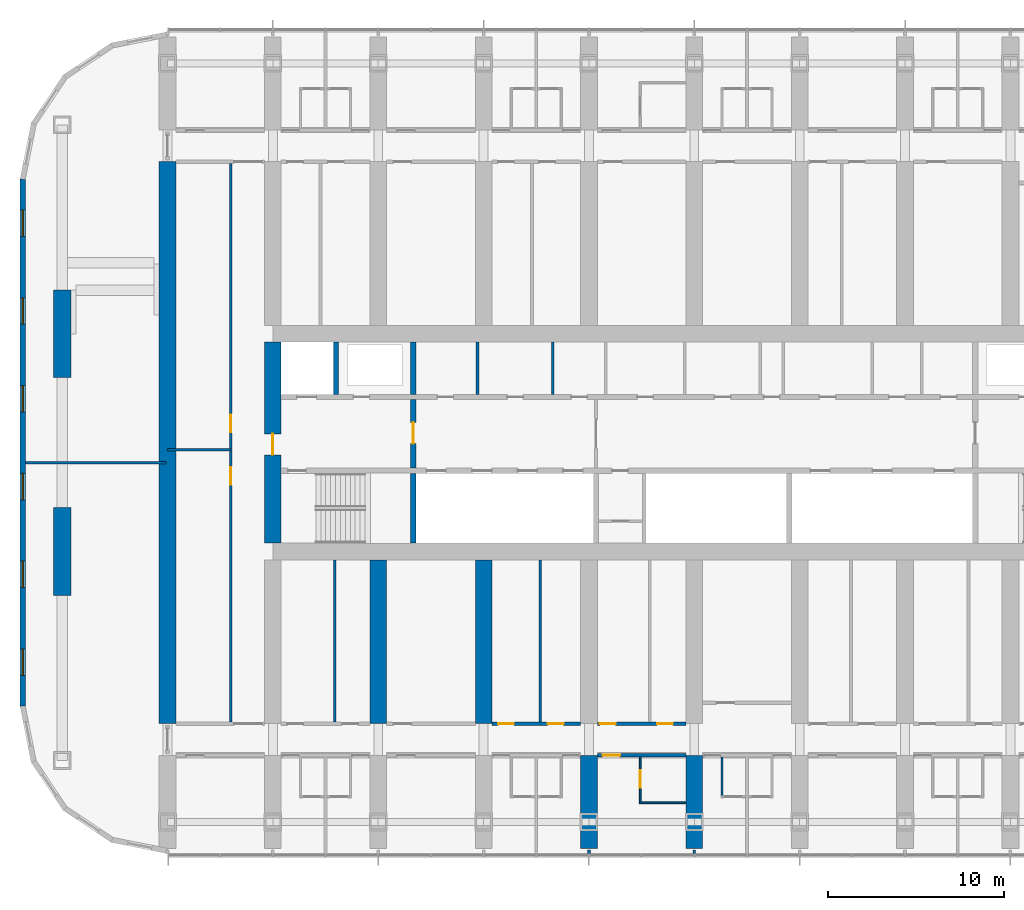
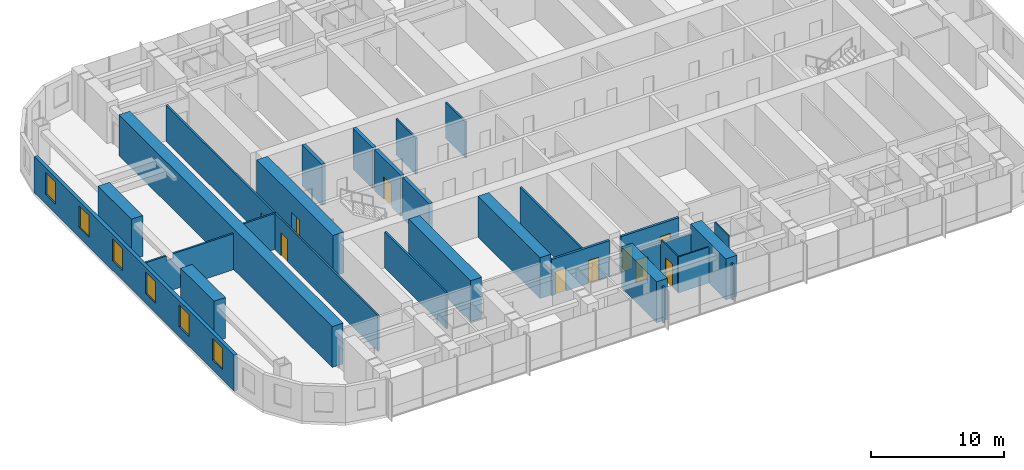
# One storey, part 9 of 21: 28 walls, 10 doors, 6 windows, 16 openings.
"""IFC4 building model written with IfcOpenShell, lengths in metres."""

import ifcopenshell
import ifcopenshell.guid

model = None  # the IFC model being written
_history = None  # IfcOwnerHistory: only IFC2X3 demands one
_inside = {}  # id of a spatial element -> (the spatial element, [elements in it])
_under = {}  # id of a project, library or spatial element -> (it, [spatial elements below it])
_declared = {}  # id of a project -> (the project, [libraries it declares])
_typed = {}  # id of a type object -> (the type object, [elements of that type])
_made_of = {}  # id of a material, layer set ... -> (it, [elements and type objects made of it])


def new_model(schema):
    """Start an empty IFC model of exactly this schema.

    Asked for "IFC4X3", IfcOpenShell would pick the latest addendum, in which some entities
    have other attributes; the version numbers below select the first issue.
    IFC2X3 requires an IfcOwnerHistory on every rooted entity: one is made here for all.
    """
    global model, _history
    if schema == "IFC4X3":
        model = ifcopenshell.file(schema_version=(4, 3, 0, 0))
    else:
        model = ifcopenshell.file(schema=schema)
    _inside.clear()
    _under.clear()
    _declared.clear()
    _typed.clear()
    _made_of.clear()
    _history = None
    if model.schema == "IFC2X3":
        org = make("IfcOrganization", Name="unknown")
        user = make(
            "IfcPersonAndOrganization",
            ThePerson=make("IfcPerson", FamilyName="unknown"),
            TheOrganization=org,
        )
        app = make(
            "IfcApplication",
            ApplicationDeveloper=org,
            Version="unknown",
            ApplicationFullName="unknown",
            ApplicationIdentifier="unknown",
        )
        _history = make(
            "IfcOwnerHistory",
            OwningUser=user,
            OwningApplication=app,
            ChangeAction="ADDED",
            CreationDate=0,
        )
    return model


def make(cls, **values):
    """One entity of the class cls with the attributes given. An attribute that is None is left unset."""
    return model.create_entity(
        cls, **{name: value for name, value in values.items() if value is not None}
    )


def rooted(cls, **values):
    """An entity with a GlobalId (a new one), such as an element, a storey or a relation."""
    return make(cls, GlobalId=ifcopenshell.guid.new(), OwnerHistory=_history, **values)


def si_unit(unit_type, name, prefix=None):
    """IfcSIUnit, for example si_unit("LENGTHUNIT", "METRE", prefix="MILLI")."""
    return make("IfcSIUnit", UnitType=unit_type, Prefix=prefix, Name=name)


def assignment(units):
    """IfcUnitAssignment: the units of a project."""
    return None if units is None else make("IfcUnitAssignment", Units=units)


def point(xyz):
    """IfcCartesianPoint."""
    return None if xyz is None else make("IfcCartesianPoint", Coordinates=xyz)


def direction(xyz):
    """IfcDirection."""
    return None if xyz is None else make("IfcDirection", DirectionRatios=xyz)


def frame(location, z_axis=None, x_axis=None):
    """IfcAxis2Placement3D, a coordinate frame: its origin and axes. An axis left out is left unset."""
    return make(
        "IfcAxis2Placement3D",
        Location=point(location),
        Axis=direction(z_axis),
        RefDirection=direction(x_axis),
    )


def frame_2d(location, x_axis=None):
    """IfcAxis2Placement2D, a coordinate frame in the plane: its origin and x axis."""
    return make(
        "IfcAxis2Placement2D", Location=point(location), RefDirection=direction(x_axis)
    )


def origin():
    """The frame at (0, 0, 0) with its axes left unset."""
    return frame((0.0, 0.0, 0.0))


def place(relative_to, where):
    """IfcLocalPlacement: puts the frame where relative to a parent placement (None: the world)."""
    return make(
        "IfcLocalPlacement", PlacementRelTo=relative_to, RelativePlacement=where
    )


def context(
    kind, dimensions, precision=None, world=None, true_north=None, identifier=None
):
    """IfcGeometricRepresentationContext, for example the 3D "Model" context."""
    return make(
        "IfcGeometricRepresentationContext",
        ContextIdentifier=identifier,
        ContextType=kind,
        CoordinateSpaceDimension=dimensions,
        Precision=precision,
        WorldCoordinateSystem=world,
        TrueNorth=true_north,
    )


def subcontext(parent, identifier, kind, view, scale=None):
    """IfcGeometricRepresentationSubContext, for example "Body" below "Model"."""
    return make(
        "IfcGeometricRepresentationSubContext",
        ContextIdentifier=identifier,
        ContextType=kind,
        ParentContext=parent,
        TargetScale=scale,
        TargetView=view,
    )


def project(units=None, contexts=None):
    """IfcProject with its units and contexts."""
    return rooted(
        "IfcProject",
        Name="project",
        RepresentationContexts=contexts,
        UnitsInContext=assignment(units),
    )


def spatial(cls, under=None, at=None, **own):
    """A site, building, storey or space (cls), placed at a placement, below another one or the project."""
    s = rooted(cls, ObjectPlacement=at, **own)
    if under is not None:
        _under.setdefault(under.id(), (under, []))[1].append(s)
    return s


def polyline(points):
    """IfcPolyline through the points."""
    return make("IfcPolyline", Points=[point(p) for p in points])


def profile(cls, at=None, kind="AREA", **sizes):
    """A parametric profile (cls). Its sizes go by their IFC names, for example OverallWidth=200.0."""
    return make(cls, ProfileType=kind, Position=at, **sizes)


def rectangle(**sizes):
    """IfcRectangleProfileDef."""
    return profile("IfcRectangleProfileDef", **sizes)


def outline(outer, holes=None, kind="AREA"):
    """IfcArbitraryClosedProfileDef: a profile drawn as a closed curve; with holes, ...WithVoids."""
    if holes is None:
        return make("IfcArbitraryClosedProfileDef", ProfileType=kind, OuterCurve=outer)
    return make(
        "IfcArbitraryProfileDefWithVoids",
        ProfileType=kind,
        OuterCurve=outer,
        InnerCurves=holes,
    )


def extrude(swept, where, along, depth):
    """IfcExtrudedAreaSolid: the profile swept, set in the frame where, extruded along a direction by depth."""
    return make(
        "IfcExtrudedAreaSolid",
        SweptArea=swept,
        Position=where,
        ExtrudedDirection=direction(along),
        Depth=depth,
    )


def shape(context_of_items, identifier, shape_type, items):
    """IfcShapeRepresentation: the items that make up one representation, for example the "Body"."""
    return make(
        "IfcShapeRepresentation",
        ContextOfItems=context_of_items,
        RepresentationIdentifier=identifier,
        RepresentationType=shape_type,
        Items=items,
    )


def material(Name=None, Category=None):
    """IfcMaterial."""
    return make("IfcMaterial", Name=Name, Category=Category)


def layer(
    of_material, thickness, ventilated=None, Name=None, Category=None, Priority=None
):
    """IfcMaterialLayer: one layer of a wall or slab, of a material (None: an air gap)."""
    return make(
        "IfcMaterialLayer",
        Material=of_material,
        LayerThickness=thickness,
        IsVentilated=ventilated,
        Name=Name,
        Category=Category,
        Priority=Priority,
    )


def layer_set(layers, Name=None):
    """IfcMaterialLayerSet."""
    return make("IfcMaterialLayerSet", MaterialLayers=layers, LayerSetName=Name)


def made_of(thing, what):
    """Note that an element or type object is made of a material, layer set ...; save() writes the relation."""
    if what is not None:
        _made_of.setdefault(what.id(), (what, []))[1].append(thing)
    return thing


def type_object(cls, material=None, **own):
    """A type object (cls), such as IfcWallType, which elements share."""
    return made_of(rooted(cls, **own), material)


def element(
    cls,
    number,
    at=None,
    inside=None,
    cuts=None,
    type_object=None,
    material=None,
    context=None,
    identifier="Body",
    shape_type=None,
    held_by="IfcProductDefinitionShape",
    body=None,
    shapes=None,
    **own,
):
    """One element of the class cls, such as IfcWall. Its Tag is "e" and its number.

    at: its placement. inside: the storey or other place that contains it. cuts: it is an
    opening in that element (IfcRelVoidsElement). A single representation is given by context,
    identifier, shape_type and body (its items); several are given by shapes. held_by: the class
    of the entity that holds the representations. save() writes the other relations.
    """
    e = rooted(cls, Tag="e%d" % number, ObjectPlacement=at, **own)
    if body is not None:
        shapes = [shape(context, identifier, shape_type, body)]
    if shapes is not None:
        e.Representation = make(held_by, Representations=shapes)
    if inside is not None:
        _inside.setdefault(inside.id(), (inside, []))[1].append(e)
    if cuts is not None:
        rooted(
            "IfcRelVoidsElement", RelatingBuildingElement=cuts, RelatedOpeningElement=e
        )
    if type_object is not None:
        _typed.setdefault(type_object.id(), (type_object, []))[1].append(e)
    return made_of(e, material)


def fill(opening, filler):
    """IfcRelFillsElement: the door or window that sits in an opening."""
    return rooted(
        "IfcRelFillsElement",
        RelatingOpeningElement=opening,
        RelatedBuildingElement=filler,
    )


def aggregate(whole, parts):
    """IfcRelAggregates: a whole, such as a stair, and the parts it consists of."""
    return rooted("IfcRelAggregates", RelatingObject=whole, RelatedObjects=parts)


def save(model, path):
    """Write the relations noted so far, then the file.

    IfcRelAggregates (storeys below a building ...), IfcRelContainedInSpatialStructure (elements
    in a storey), IfcRelDefinesByType, IfcRelAssociatesMaterial and IfcRelDeclares: one each for
    every whole, place, type object, material and project.
    """
    for whole, parts in _under.values():
        aggregate(whole, parts)
    for where, things in _inside.values():
        rooted(
            "IfcRelContainedInSpatialStructure",
            RelatedElements=things,
            RelatingStructure=where,
        )
    for kind, things in _typed.values():
        rooted("IfcRelDefinesByType", RelatedObjects=things, RelatingType=kind)
    for what, things in _made_of.values():
        rooted("IfcRelAssociatesMaterial", RelatedObjects=things, RelatingMaterial=what)
    for by, libraries in _declared.values():
        rooted("IfcRelDeclares", RelatingContext=by, RelatedDefinitions=libraries)
    model.write(path)


model = new_model("IFC4")

# Units and contexts
model_context = context("Model", 3, precision=1e-05, world=origin(), true_north=direction((0.0, 1.0)))
body_context = subcontext(model_context, "Body", "Model", "MODEL_VIEW")
ifc_project = project(units=[si_unit("LENGTHUNIT", "METRE"), si_unit("AREAUNIT", "SQUARE_METRE"), si_unit("VOLUMEUNIT", "CUBIC_METRE"), si_unit("PLANEANGLEUNIT", "RADIAN"), si_unit("MASSUNIT", "GRAM", prefix="KILO")], contexts=[model_context])

# Site, building, storey
site_placement = place(None, origin())
site = spatial("IfcSite", under=ifc_project, at=site_placement, CompositionType="ELEMENT")
building_placement = place(site_placement, origin())
building = spatial("IfcBuilding", under=site, at=building_placement, Name="Orbita Commons", CompositionType="ELEMENT")
storey_placement = place(building_placement, frame((0.0, 0.0, 95.64990234375)))
storey = spatial("IfcBuildingStorey", under=building, at=storey_placement, Name="L23", CompositionType="ELEMENT", Elevation=95.64990234375)

# Wall
ifc_material_1 = material(Name="Concrete C50/60", Category="concrete")
ifc_layer_1 = layer(ifc_material_1, 0.300048828125)
ifc_layer_set_1 = layer_set([ifc_layer_1], Name="Concrete C50/60")
wall_type_1 = type_object("IfcWallType", Name="Core inner wall 300 C50/60", PredefinedType="SHEAR", material=ifc_layer_set_1)
wall_1_placement = place(storey_placement, frame((26.0, 26.27490234375, 0.0), z_axis=(0.0, 0.0, 1.0), x_axis=(0.0, 1.0, 0.0)))
element("IfcWall", 1, at=wall_1_placement, inside=storey, type_object=wall_type_1, Name="Stair S1 wall L23", PredefinedType="SHEAR", context=body_context, shape_type="SweptSolid", body=[
    extrude(rectangle(XDim=3.97509765625, YDim=0.300048828125, at=frame_2d((1.987548828125, 0.0))), origin(), (0.0, 0.0, 1.0), 3.75),
])

# Wall, opening, door
wall_2_placement = place(storey_placement, frame((26.0, 30.550048828125, 0.0), z_axis=(0.0, 0.0, 1.0), x_axis=(0.0, 1.0, 0.0)))
wall_2 = element("IfcWall", 2, at=wall_2_placement, inside=storey, type_object=wall_type_1, Name="Firefighting lobby wall west L23", PredefinedType="SHEAR", context=body_context, shape_type="SweptSolid", body=[
    extrude(rectangle(XDim=3.89990234375, YDim=0.300048828125, at=frame_2d((1.949951171875, 0.0))), origin(), (0.0, 0.0, 1.0), 3.75),
])
opening_1_placement = place(wall_2_placement, frame((1.39990234375, 0.0, 0.0)))
opening_1 = element("IfcOpeningElement", 3, at=opening_1_placement, cuts=wall_2, Name="Opening D04", PredefinedType="OPENING", context=body_context, shape_type="SweptSolid", body=[
    extrude(rectangle(XDim=1.199951171875, YDim=2.10009765625, at=frame_2d((0.60009765625, 1.050048828125))), frame((0.0, 0.159912109375, 0.0), z_axis=(0.0, -1.0, 0.0), x_axis=(1.0, 0.0, 0.0)), (0.0, 0.0, 1.0), 0.320068359375),
])
ifc_material_2 = material(Name="Steel-faced fire door leaf", Category="steel")
door_type_1 = type_object("IfcDoorType", Name="Service door 20 min 1200x2100", OperationType="SINGLE_SWING_LEFT", PredefinedType="DOOR", material=ifc_material_2)
door_1_placement = place(opening_1_placement, origin())
door_1 = element("IfcDoor", 4, at=door_1_placement, inside=storey, type_object=door_type_1, Name="Lift lobby door west", OperationType="SINGLE_SWING_LEFT", OverallHeight=2.10009765625, OverallWidth=1.199951171875, PredefinedType="DOOR", context=body_context, shape_type="SweptSolid", body=[
    extrude(rectangle(XDim=1.199951171875, YDim=2.10009765625, at=frame_2d((0.60009765625, 1.050048828125))), frame((0.0, 0.02490234375, 0.0), z_axis=(0.0, -1.0, 0.0), x_axis=(1.0, 0.0, 0.0)), (0.0, 0.0, 1.0), 0.050048828125),
])
fill(opening_1, door_1)

# Walls
for number, where, z_axis, x_axis, name in (
    (5, (21.60009765625, 34.75, 0.0), (0.0, 0.0, 1.0), (0.0, 1.0, 0.0), "Firefighting lift FL1 shaft wall L23"),
    (6, (26.0, 34.75, 0.0), (0.0, 0.0, 1.0), (0.0, 1.0, 0.0), "Riser wall west L23"),
):
    element("IfcWall", number, at=place(storey_placement, frame(where, z_axis=z_axis, x_axis=x_axis)), inside=storey, type_object=wall_type_1, Name=name, PredefinedType="SHEAR", context=body_context, shape_type="SweptSolid", body=[
        extrude(rectangle(XDim=2.97509765625, YDim=0.300048828125, at=frame_2d((1.487548828125, 0.0))), origin(), (0.0, 0.0, 1.0), 3.75),
    ])
ifc_material_3 = material(Name="Concrete blockwork", Category="masonry")
ifc_layer_2 = layer(ifc_material_3, 0.14990234375)
ifc_layer_set_2 = layer_set([ifc_layer_2], Name="Concrete blockwork")
wall_type_2 = type_object("IfcWallType", Name="Core partition 150 blockwork", PredefinedType="SOLIDWALL", material=ifc_layer_set_2)
for number, where, z_axis, x_axis, name in (
    (7, (29.65087890625, 34.75, 0.0), (0.0, 0.0, 1.0), (0.0, 1.0, 0.0), "Core partition 150 blockwork L23"),
    (8, (33.9462890625, 34.75, 0.0), (0.0, 0.0, 1.0), (0.0, 1.0, 0.0), "Core partition 150 blockwork L23"),
):
    element("IfcWall", number, at=place(storey_placement, frame(where, z_axis=z_axis, x_axis=x_axis)), inside=storey, type_object=wall_type_2, Name=name, PredefinedType="SOLIDWALL", context=body_context, shape_type="SweptSolid", body=[
        extrude(rectangle(XDim=2.97509765625, YDim=0.14990234375, at=frame_2d((1.487548828125, 0.0))), origin(), (0.0, 0.0, 1.0), 3.300048828125),
    ])

# Wall, opening, door
ifc_material_4 = material(Name="Concrete C50/60", Category="concrete")
ifc_layer_3 = layer(ifc_material_4, 0.949951171875)
ifc_layer_set_3 = layer_set([ifc_layer_3], Name="Concrete C50/60")
wall_type_3 = type_object("IfcWallType", Name="Core wall 950 C50/60", PredefinedType="SHEAR", material=ifc_layer_set_3)
wall_3_placement = place(storey_placement, frame((18.0, 26.27490234375, 0.0), z_axis=(0.0, 0.0, 1.0), x_axis=(0.0, 1.0, 0.0)))
wall_3 = element("IfcWall", 9, at=wall_3_placement, inside=storey, type_object=wall_type_3, Name="Core end wall west L23", PredefinedType="SHEAR", context=body_context, shape_type="SweptSolid", body=[
    extrude(rectangle(XDim=11.4501953125, YDim=0.949951171875, at=frame_2d((5.72509765625, 0.0))), origin(), (0.0, 0.0, 1.0), 3.75),
])
opening_2_placement = place(wall_3_placement, frame((5.02490234375, 0.0, 0.0)))
opening_2 = element("IfcOpeningElement", 10, at=opening_2_placement, cuts=wall_3, Name="Opening D01", PredefinedType="OPENING", context=body_context, shape_type="SweptSolid", body=[
    extrude(rectangle(XDim=1.199951171875, YDim=2.10009765625, at=frame_2d((0.60009765625, 1.050048828125))), frame((0.0, 0.48486328125, 0.0), z_axis=(0.0, -1.0, 0.0), x_axis=(1.0, 0.0, 0.0)), (0.0, 0.0, 1.0), 0.969970703125),
])
ifc_material_5 = material(Name="Steel-faced fire door leaf", Category="steel")
door_type_2 = type_object("IfcDoorType", Name="Fire door 90 min 1200x2100", OperationType="SINGLE_SWING_LEFT", PredefinedType="DOOR", material=ifc_material_5)
door_2_placement = place(opening_2_placement, origin())
door_2 = element("IfcDoor", 11, at=door_2_placement, inside=storey, type_object=door_type_2, Name="Firefighting lobby west door", OperationType="SINGLE_SWING_LEFT", OverallHeight=2.10009765625, OverallWidth=1.199951171875, PredefinedType="DOOR", context=body_context, shape_type="SweptSolid", body=[
    extrude(rectangle(XDim=1.199951171875, YDim=2.10009765625, at=frame_2d((0.60009765625, 1.050048828125))), frame((0.0, 0.02490234375, 0.0), z_axis=(0.0, -1.0, 0.0), x_axis=(1.0, 0.0, 0.0)), (0.0, 0.0, 1.0), 0.050048828125),
])
fill(opening_2, door_2)

ifc_material_6 = material(Name="Concrete blockwork", Category="masonry")
ifc_layer_4 = layer(ifc_material_6, 0.199951171875)
ifc_layer_set_4 = layer_set([ifc_layer_4], Name="Concrete blockwork")
wall_type_4 = type_object("IfcWallType", Name="Corridor wall 200 blockwork", PredefinedType="SOLIDWALL", material=ifc_layer_set_4)
wall_4_placement = place(storey_placement, frame((36.47509765625, 14.199951171875, 0.0), z_axis=(0.0, 0.0, 1.0), x_axis=(1.0, 0.0, 0.0)))
wall_4 = element("IfcWall", 12, at=wall_4_placement, inside=storey, type_object=wall_type_4, Name="Corridor wall 200 blockwork L23", PredefinedType="SOLIDWALL", context=body_context, shape_type="SweptSolid", body=[
    extrude(outline(polyline([(0.0, 0.0), (5.0498046875, 0.0), (5.050048828125, 2.900146484375), (0.0, 2.900146484375), (0.0, 0.0)])), frame((0.0, 0.10009765625, 0.0), z_axis=(0.0, -1.0, 0.0), x_axis=(1.0, 0.0, 0.0)), (0.0, 0.0, 1.0), 0.199951171875),
])
opening_3_placement = place(wall_4_placement, frame((0.300048828125, 0.0, 0.0)))
opening_3 = element("IfcOpeningElement", 13, at=opening_3_placement, cuts=wall_4, Name="Opening D06", PredefinedType="OPENING", context=body_context, shape_type="SweptSolid", body=[
    extrude(rectangle(XDim=1.0, YDim=2.10009765625, at=frame_2d((0.5, 1.050048828125))), frame((0.0, 0.10986328125, 0.0), z_axis=(0.0, -1.0, 0.0), x_axis=(1.0, 0.0, 0.0)), (0.0, 0.0, 1.0), 0.219970703125),
])
ifc_material_7 = material(Name="Steel-faced fire door leaf", Category="steel")
door_type_3 = type_object("IfcDoorType", Name="Corridor door 20 min 1000x2100", OperationType="SINGLE_SWING_LEFT", PredefinedType="DOOR", material=ifc_material_7)
door_3_placement = place(opening_3_placement, origin())
door_3 = element("IfcDoor", 14, at=door_3_placement, inside=storey, type_object=door_type_3, Name="Accessible bedroom L23-S08 door", OperationType="SINGLE_SWING_LEFT", OverallHeight=2.10009765625, OverallWidth=1.0, PredefinedType="DOOR", context=body_context, shape_type="SweptSolid", body=[
    extrude(rectangle(XDim=1.0, YDim=2.10009765625, at=frame_2d((0.5, 1.050048828125))), frame((0.0, 0.02490234375, 0.0), z_axis=(0.0, -1.0, 0.0), x_axis=(1.0, 0.0, 0.0)), (0.0, 0.0, 1.0), 0.050048828125),
])
fill(opening_3, door_3)

# Wall, openings, doors
ifc_material_8 = material(Name="Hollow concrete block 200", Category="concrete")
ifc_layer_5 = layer(ifc_material_8, 0.199951171875)
ifc_layer_set_5 = layer_set([ifc_layer_5], Name="Hollow concrete block 200")
wall_type_5 = type_object("IfcWallType", Name="Corridor wall 200 hollow concrete block", PredefinedType="SOLIDWALL", material=ifc_layer_set_5)
wall_5_placement = place(storey_placement, frame((30.47509765625, 16.0, 0.0), z_axis=(0.0, 0.0, 1.0), x_axis=(1.0, 0.0, 0.0)))
wall_5 = element("IfcWall", 15, at=wall_5_placement, inside=storey, type_object=wall_type_5, Name="Corridor wall 200 hollow concrete block L23", PredefinedType="SOLIDWALL", context=body_context, shape_type="SweptSolid", body=[
    extrude(rectangle(XDim=5.0498046875, YDim=0.199951171875, at=frame_2d((2.52490234375, 0.0))), origin(), (0.0, 0.0, 1.0), 3.300048828125),
])
opening_4_placement = place(wall_5_placement, frame((0.35009765625, 0.0, 0.0)))
opening_4 = element("IfcOpeningElement", 16, at=opening_4_placement, cuts=wall_5, Name="Opening D11", PredefinedType="OPENING", context=body_context, shape_type="SweptSolid", body=[
    extrude(rectangle(XDim=0.89990234375, YDim=2.10009765625, at=frame_2d((0.449951171875, 1.050048828125))), frame((0.0, 0.10986328125, 0.0), z_axis=(0.0, -1.0, 0.0), x_axis=(1.0, 0.0, 0.0)), (0.0, 0.0, 1.0), 0.219970703125),
])
opening_5_placement = place(wall_5_placement, frame((3.18505859375, 0.0, 0.0)))
opening_5 = element("IfcOpeningElement", 17, at=opening_5_placement, cuts=wall_5, Name="Opening D11", PredefinedType="OPENING", context=body_context, shape_type="SweptSolid", body=[
    extrude(rectangle(XDim=0.89990234375, YDim=2.10009765625, at=frame_2d((0.449951171875, 1.050048828125))), frame((0.0, 0.10986328125, 0.0), z_axis=(0.0, -1.0, 0.0), x_axis=(1.0, 0.0, 0.0)), (0.0, 0.0, 1.0), 0.219970703125),
])
ifc_material_9 = material(Name="Steel-faced fire door leaf", Category="steel")
door_type_4 = type_object("IfcDoorType", Name="Corridor door 20 min 900x2100", OperationType="SINGLE_SWING_LEFT", PredefinedType="DOOR", material=ifc_material_9)
door_4_placement = place(opening_4_placement, origin())
door_4 = element("IfcDoor", 18, at=door_4_placement, inside=storey, type_object=door_type_4, Name="Bicycle repair workshop L23-BDS30 door", OperationType="SINGLE_SWING_LEFT", OverallHeight=2.10009765625, OverallWidth=0.89990234375, PredefinedType="DOOR", context=body_context, shape_type="SweptSolid", body=[
    extrude(rectangle(XDim=0.89990234375, YDim=2.10009765625, at=frame_2d((0.449951171875, 1.050048828125))), frame((0.0, 0.02490234375, 0.0), z_axis=(0.0, -1.0, 0.0), x_axis=(1.0, 0.0, 0.0)), (0.0, 0.0, 1.0), 0.050048828125),
])
fill(opening_4, door_4)
door_5_placement = place(opening_5_placement, origin())
door_5 = element("IfcDoor", 19, at=door_5_placement, inside=storey, type_object=door_type_4, Name="Battery and UPS room L23-BDS30n door", OperationType="SINGLE_SWING_LEFT", OverallHeight=2.10009765625, OverallWidth=0.89990234375, PredefinedType="DOOR", context=body_context, shape_type="SweptSolid", body=[
    extrude(rectangle(XDim=0.89990234375, YDim=2.10009765625, at=frame_2d((0.449951171875, 1.050048828125))), frame((0.0, 0.02490234375, 0.0), z_axis=(0.0, -1.0, 0.0), x_axis=(1.0, 0.0, 0.0)), (0.0, 0.0, 1.0), 0.050048828125),
])
fill(opening_5, door_5)

wall_6_placement = place(storey_placement, frame((36.47509765625, 16.0, 0.0), z_axis=(0.0, 0.0, 1.0), x_axis=(1.0, 0.0, 0.0)))
wall_6 = element("IfcWall", 20, at=wall_6_placement, inside=storey, type_object=wall_type_5, Name="Corridor wall 200 hollow concrete block L23", PredefinedType="SOLIDWALL", context=body_context, shape_type="SweptSolid", body=[
    extrude(rectangle(XDim=5.0498046875, YDim=0.199951171875, at=frame_2d((2.52490234375, 0.0))), origin(), (0.0, 0.0, 1.0), 3.300048828125),
])
opening_6_placement = place(wall_6_placement, frame((0.14990234375, 0.0, 0.0)))
opening_6 = element("IfcOpeningElement", 21, at=opening_6_placement, cuts=wall_6, Name="Opening D11", PredefinedType="OPENING", context=body_context, shape_type="SweptSolid", body=[
    extrude(rectangle(XDim=0.89990234375, YDim=2.10009765625, at=frame_2d((0.449951171875, 1.050048828125))), frame((0.0, 0.10986328125, 0.0), z_axis=(0.0, -1.0, 0.0), x_axis=(1.0, 0.0, 0.0)), (0.0, 0.0, 1.0), 0.219970703125),
])
opening_7_placement = place(wall_6_placement, frame((3.405029296875, 0.0, 0.0)))
opening_7 = element("IfcOpeningElement", 22, at=opening_7_placement, cuts=wall_6, Name="Opening D11", PredefinedType="OPENING", context=body_context, shape_type="SweptSolid", body=[
    extrude(rectangle(XDim=0.89990234375, YDim=2.10009765625, at=frame_2d((0.449951171875, 1.050048828125))), frame((0.0, 0.10986328125, 0.0), z_axis=(0.0, -1.0, 0.0), x_axis=(1.0, 0.0, 0.0)), (0.0, 0.0, 1.0), 0.219970703125),
])
door_6_placement = place(opening_6_placement, origin())
door_6 = element("IfcDoor", 23, at=door_6_placement, inside=storey, type_object=door_type_4, Name="Meeting room L23-BDS36 door", OperationType="SINGLE_SWING_LEFT", OverallHeight=2.10009765625, OverallWidth=0.89990234375, PredefinedType="DOOR", context=body_context, shape_type="SweptSolid", body=[
    extrude(rectangle(XDim=0.89990234375, YDim=2.10009765625, at=frame_2d((0.449951171875, 1.050048828125))), frame((0.0, 0.02490234375, 0.0), z_axis=(0.0, -1.0, 0.0), x_axis=(1.0, 0.0, 0.0)), (0.0, 0.0, 1.0), 0.050048828125),
])
fill(opening_6, door_6)
door_7_placement = place(opening_7_placement, origin())
door_7 = element("IfcDoor", 24, at=door_7_placement, inside=storey, type_object=door_type_4, Name="Sprinkler valve room L23-BDS36n door", OperationType="SINGLE_SWING_LEFT", OverallHeight=2.10009765625, OverallWidth=0.89990234375, PredefinedType="DOOR", context=body_context, shape_type="SweptSolid", body=[
    extrude(rectangle(XDim=0.89990234375, YDim=2.10009765625, at=frame_2d((0.449951171875, 1.050048828125))), frame((0.0, 0.02490234375, 0.0), z_axis=(0.0, -1.0, 0.0), x_axis=(1.0, 0.0, 0.0)), (0.0, 0.0, 1.0), 0.050048828125),
])
fill(opening_7, door_7)

# Walls
ifc_material_10 = material(Name="Concrete C50/60", Category="concrete")
ifc_layer_6 = layer(ifc_material_10, 0.949951171875)
ifc_layer_set_6 = layer_set([ifc_layer_6], Name="Concrete C50/60")
wall_type_6 = type_object("IfcWallType", Name="Cross wall 950 C50/60", PredefinedType="SHEAR", material=ifc_layer_set_6)
wall_7_placement = place(storey_placement, frame((12.0, 16.0, 0.0), z_axis=(0.0, 0.0, 1.0), x_axis=(0.0, 1.0, 0.0)))
element("IfcWall", 25, at=wall_7_placement, inside=storey, type_object=wall_type_6, Name="Cross wall 3 inner L23", PredefinedType="SHEAR", context=body_context, shape_type="SweptSolid", body=[
    extrude(rectangle(XDim=32.0, YDim=0.949951171875, at=frame_2d((16.0, 0.0))), origin(), (0.0, 0.0, 1.0), 3.75),
])
for number, where, z_axis, x_axis, name in (
    (26, (24.0, 16.0, 0.0), (0.0, 0.0, 1.0), (0.0, 1.0, 0.0), "Cross wall 5 south inner L23"),
    (27, (30.0, 16.0, 0.0), (0.0, 0.0, 1.0), (0.0, 1.0, 0.0), "Cross wall 6 south inner L23"),
):
    element("IfcWall", number, at=place(storey_placement, frame(where, z_axis=z_axis, x_axis=x_axis)), inside=storey, type_object=wall_type_6, Name=name, PredefinedType="SHEAR", context=body_context, shape_type="SweptSolid", body=[
        extrude(rectangle(XDim=9.324951171875, YDim=0.949951171875, at=frame_2d((4.66259765625, 0.0))), origin(), (0.0, 0.0, 1.0), 3.75),
    ])
for number, where, z_axis, x_axis, name in (
    (28, (36.0, 8.89990234375, 0.0), (0.0, 0.0, 1.0), (0.0, 1.0, 0.0), "Cross wall 7 south outer L23"),
    (29, (42.0, 8.89990234375, 0.0), (0.0, 0.0, 1.0), (0.0, 1.0, 0.0), "Cross wall 8 south outer L23"),
):
    element("IfcWall", number, at=place(storey_placement, frame(where, z_axis=z_axis, x_axis=x_axis)), inside=storey, type_object=wall_type_6, Name=name, PredefinedType="SHEAR", context=body_context, shape_type="SweptSolid", body=[
        extrude(rectangle(XDim=5.300048828125, YDim=0.949951171875, at=frame_2d((2.64990234375, 0.0))), origin(), (0.0, 0.0, 1.0), 3.75),
    ])
ifc_material_11 = material(Name="Moisture-resistant plasterboard on steel studs", Category="steel")
ifc_layer_7 = layer(ifc_material_11, 0.10009765625)
ifc_layer_set_7 = layer_set([ifc_layer_7], Name="Moisture-resistant plasterboard on steel studs")
wall_type_7 = type_object("IfcWallType", Name="En-suite partition 100", PredefinedType="PARTITIONING", material=ifc_layer_set_7)
wall_8_placement = place(storey_placement, frame((38.875, 11.5, 0.0), z_axis=(0.0, 0.0, 1.0), x_axis=(1.0, 0.0, 0.0)))
element("IfcWall", 30, at=wall_8_placement, inside=storey, type_object=wall_type_7, Name="En-suite partition 100 L23", PredefinedType="PARTITIONING", context=body_context, shape_type="SweptSolid", body=[
    extrude(rectangle(XDim=2.64990234375, YDim=0.10009765625, at=frame_2d((1.324951171875, 0.0))), origin(), (0.0, 0.0, 1.0), 3.300048828125),
])

# Wall, opening, door
wall_9_placement = place(storey_placement, frame((38.925048828125, 11.550048828125, 0.0), z_axis=(0.0, 0.0, 1.0), x_axis=(0.0, 1.0, 0.0)))
wall_9 = element("IfcWall", 31, at=wall_9_placement, inside=storey, type_object=wall_type_7, Name="En-suite partition 100 L23", PredefinedType="PARTITIONING", context=body_context, shape_type="SweptSolid", body=[
    extrude(outline(polyline([(0.0, 0.0), (2.550048828125, 0.0), (2.550048828125, 2.900146484375), (2.501953125, 2.900146484375), (2.5, 3.300048828125), (0.0, 3.300048828125), (0.0, 0.0)])), frame((0.0, 0.050048828125, 0.0), z_axis=(0.0, -1.0, 0.0), x_axis=(1.0, 0.0, 0.0)), (0.0, 0.0, 1.0), 0.10009765625),
])
opening_8_placement = place(wall_9_placement, frame((0.800048828125, 0.0, 0.0)))
opening_8 = element("IfcOpeningElement", 32, at=opening_8_placement, cuts=wall_9, Name="Opening D13", PredefinedType="OPENING", context=body_context, shape_type="SweptSolid", body=[
    extrude(rectangle(XDim=1.0, YDim=2.10009765625, at=frame_2d((0.5, 1.050048828125))), frame((0.0, 0.06005859375, 0.0), z_axis=(0.0, -1.0, 0.0), x_axis=(1.0, 0.0, 0.0)), (0.0, 0.0, 1.0), 0.1201171875),
])
ifc_material_12 = material(Name="Laminated timber door leaf", Category="wood")
door_type_5 = type_object("IfcDoorType", Name="En-suite door 1000x2100", OperationType="SINGLE_SWING_RIGHT", PredefinedType="DOOR", material=ifc_material_12)
door_8_placement = place(opening_8_placement, origin())
door_8 = element("IfcDoor", 33, at=door_8_placement, inside=storey, type_object=door_type_5, Name="Accessible shower room L23-S08 door", OperationType="SINGLE_SWING_RIGHT", OverallHeight=2.10009765625, OverallWidth=1.0, PredefinedType="DOOR", context=body_context, shape_type="SweptSolid", body=[
    extrude(rectangle(XDim=1.0, YDim=2.10009765625, at=frame_2d((0.5, 1.050048828125))), frame((0.0, 0.02490234375, 0.0), z_axis=(0.0, -1.0, 0.0), x_axis=(1.0, 0.0, 0.0)), (0.0, 0.0, 1.0), 0.050048828125),
])
fill(opening_8, door_8)

# Walls
wall_10_placement = place(storey_placement, frame((43.574951171875, 11.890625, 0.0), z_axis=(0.0, 0.0, 1.0), x_axis=(0.0, 1.0, 0.0)))
element("IfcWall", 34, at=wall_10_placement, inside=storey, type_object=wall_type_7, Name="En-suite partition 100 L23", PredefinedType="PARTITIONING", context=body_context, shape_type="SweptSolid", body=[
    extrude(outline(polyline([(0.0, 0.0), (2.20947265625, 0.0), (2.209228515625, 2.900146484375), (2.161376953125, 2.900146484375), (2.1591796875, 3.300048828125), (0.0, 3.300048828125), (0.0, 0.0)])), frame((0.0, 0.050048828125, 0.0), z_axis=(0.0, -1.0, 0.0), x_axis=(1.0, 0.0, 0.0)), (0.0, 0.0, 1.0), 0.10009765625),
])
ifc_material_13 = material(Name="Concrete C50/60", Category="concrete")
ifc_layer_8 = layer(ifc_material_13, 1.0)
ifc_layer_set_8 = layer_set([ifc_layer_8], Name="Concrete C50/60")
wall_type_8 = type_object("IfcWallType", Name="End pier 1000x5000 C50/60", PredefinedType="SHEAR", material=ifc_layer_set_8)
for number, where, z_axis, x_axis, name in (
    (35, (6.0, 23.300048828125, 0.0), (0.0, 0.0, 1.0), (0.0, 1.0, 0.0), "End pier 2/C L23"),
    (36, (6.0, 35.699951171875, 0.0), (0.0, 0.0, 1.0), (0.0, 1.0, 0.0), "End pier 2/D L23"),
):
    element("IfcWall", number, at=place(storey_placement, frame(where, z_axis=z_axis, x_axis=x_axis)), inside=storey, type_object=wall_type_8, Name=name, PredefinedType="SHEAR", context=body_context, shape_type="SweptSolid", body=[
        extrude(rectangle(XDim=5.0, YDim=1.0, at=frame_2d((2.5, 0.0))), origin(), (0.0, 0.0, 1.0), 3.75),
    ])
ifc_material_14 = material(Name="Gypsum plasterboard on steel studs", Category="steel")
ifc_layer_9 = layer(ifc_material_14, 0.14990234375)
ifc_layer_set_9 = layer_set([ifc_layer_9], Name="Gypsum plasterboard on steel studs")
wall_type_9 = type_object("IfcWallType", Name="Partition 150 plasterboard", PredefinedType="PARTITIONING", material=ifc_layer_set_9)
for number, where, z_axis, x_axis, name in (
    (37, (21.52490234375, 16.10009765625, 0.0), (0.0, 0.0, 1.0), (0.0, 1.0, 0.0), "Partition 150 plasterboard L23"),
    (38, (33.235107421875, 16.10009765625, 0.0), (0.0, 0.0, 1.0), (0.0, 1.0, 0.0), "Partition 150 plasterboard L23"),
):
    element("IfcWall", number, at=place(storey_placement, frame(where, z_axis=z_axis, x_axis=x_axis)), inside=storey, type_object=wall_type_9, Name=name, PredefinedType="PARTITIONING", context=body_context, shape_type="SweptSolid", body=[
        extrude(rectangle(XDim=9.224853515625, YDim=0.14990234375, at=frame_2d((4.6123046875, 0.0))), origin(), (0.0, 0.0, 1.0), 3.300048828125),
    ])

# Wall, openings, doors
wall_11_placement = place(storey_placement, frame((15.60009765625, 16.10009765625, 0.0), z_axis=(0.0, 0.0, 1.0), x_axis=(0.0, 1.0, 0.0)))
wall_11 = element("IfcWall", 39, at=wall_11_placement, inside=storey, type_object=wall_type_9, Name="Partition 150 plasterboard L23", PredefinedType="PARTITIONING", context=body_context, shape_type="SweptSolid", body=[
    extrude(rectangle(XDim=31.7998046875, YDim=0.14990234375, at=frame_2d((15.89990234375, 0.0))), origin(), (0.0, 0.0, 1.0), 3.300048828125),
])
opening_9_placement = place(wall_11_placement, frame((13.5, 0.0, 0.0)))
opening_9 = element("IfcOpeningElement", 40, at=opening_9_placement, cuts=wall_11, Name="Opening D06", PredefinedType="OPENING", context=body_context, shape_type="SweptSolid", body=[
    extrude(rectangle(XDim=1.0, YDim=2.10009765625, at=frame_2d((0.5, 1.050048828125))), frame((0.0, 0.0849609375, 0.0), z_axis=(0.0, -1.0, 0.0), x_axis=(1.0, 0.0, 0.0)), (0.0, 0.0, 1.0), 0.169921875),
])
opening_10_placement = place(wall_11_placement, frame((16.5, 0.0, 0.0)))
opening_10 = element("IfcOpeningElement", 41, at=opening_10_placement, cuts=wall_11, Name="Opening D06", PredefinedType="OPENING", context=body_context, shape_type="SweptSolid", body=[
    extrude(rectangle(XDim=1.0, YDim=2.10009765625, at=frame_2d((0.5, 1.050048828125))), frame((0.0, 0.0849609375, 0.0), z_axis=(0.0, -1.0, 0.0), x_axis=(1.0, 0.0, 0.0)), (0.0, 0.0, 1.0), 0.169921875),
])
door_9_placement = place(opening_9_placement, origin())
door_9 = element("IfcDoor", 42, at=door_9_placement, inside=storey, type_object=door_type_3, Name="Interview room door", OperationType="SINGLE_SWING_LEFT", OverallHeight=2.10009765625, OverallWidth=1.0, PredefinedType="DOOR", context=body_context, shape_type="SweptSolid", body=[
    extrude(rectangle(XDim=1.0, YDim=2.10009765625, at=frame_2d((0.5, 1.050048828125))), frame((0.0, 0.02490234375, 0.0), z_axis=(0.0, -1.0, 0.0), x_axis=(1.0, 0.0, 0.0)), (0.0, 0.0, 1.0), 0.050048828125),
])
fill(opening_9, door_9)
door_10_placement = place(opening_10_placement, origin())
door_10 = element("IfcDoor", 43, at=door_10_placement, inside=storey, type_object=door_type_3, Name="Prayer room door", OperationType="SINGLE_SWING_LEFT", OverallHeight=2.10009765625, OverallWidth=1.0, PredefinedType="DOOR", context=body_context, shape_type="SweptSolid", body=[
    extrude(rectangle(XDim=1.0, YDim=2.10009765625, at=frame_2d((0.5, 1.050048828125))), frame((0.0, 0.02490234375, 0.0), z_axis=(0.0, -1.0, 0.0), x_axis=(1.0, 0.0, 0.0)), (0.0, 0.0, 1.0), 0.050048828125),
])
fill(opening_10, door_10)

# Walls
wall_12_placement = place(storey_placement, frame((12.0, 31.60009765625, 0.0), z_axis=(0.0, 0.0, 1.0), x_axis=(1.0, 0.0, 0.0)))
element("IfcWall", 44, at=wall_12_placement, inside=storey, type_object=wall_type_9, Name="Partition 150 plasterboard L23", PredefinedType="PARTITIONING", context=body_context, shape_type="SweptSolid", body=[
    extrude(rectangle(XDim=3.60009765625, YDim=0.14990234375, at=frame_2d((1.800048828125, 0.0))), origin(), (0.0, 0.0, 1.0), 3.300048828125),
])
wall_13_placement = place(storey_placement, frame((3.905029296875, 30.85009765625, 0.0), z_axis=(0.0, 0.0, 1.0), x_axis=(1.0, 0.0, 0.0)))
element("IfcWall", 45, at=wall_13_placement, inside=storey, type_object=wall_type_9, Name="Partition 150 plasterboard L23", PredefinedType="PARTITIONING", context=body_context, shape_type="SweptSolid", body=[
    extrude(outline(polyline([(0.0, 0.0), (8.02001953125, 0.0), (8.02001953125, 3.300048828125), (2.39697265625, 3.300048828125), (2.39501953125, 2.85009765625), (1.797119140625, 2.85009765625), (1.794921875, 3.300048828125), (0.0, 3.300048828125), (0.0, 0.0)])), frame((0.0, 0.074951171875, 0.0), z_axis=(0.0, -1.0, 0.0), x_axis=(1.0, 0.0, 0.0)), (0.0, 0.0, 1.0), 0.14990234375),
])
for number, where, z_axis, x_axis, name in (
    (46, (36.0, 8.800048828125, 0.0), (0.0, 0.0, 1.0), (0.0, -1.0, 0.0), "Partition 150 plasterboard L23"),
    (47, (42.0, 8.800048828125, 0.0), (0.0, 0.0, 1.0), (0.0, -1.0, 0.0), "Partition 150 plasterboard L23"),
):
    element("IfcWall", number, at=place(storey_placement, frame(where, z_axis=z_axis, x_axis=x_axis)), inside=storey, type_object=wall_type_9, Name=name, PredefinedType="PARTITIONING", context=body_context, shape_type="SweptSolid", body=[
        extrude(rectangle(XDim=0.18994140625, YDim=0.14990234375, at=frame_2d((0.094970703125, 0.0))), origin(), (0.0, 0.0, 1.0), 3.300048828125),
    ])

# Wall, openings, windows
ifc_material_15 = material(Name="Precast concrete C40/50, white board-marked finish", Category="concrete")
ifc_layer_10 = layer(ifc_material_15, 0.300048828125)
ifc_layer_set_10 = layer_set([ifc_layer_10], Name="Precast concrete C40/50, white board-marked finish")
wall_type_10 = type_object("IfcWallType", Name="Precast concrete end shield 300", PredefinedType="SOLIDWALL", material=ifc_layer_set_10)
wall_14_placement = place(storey_placement, frame((3.75, 47.0, 0.0), z_axis=(0.0, 0.0, 1.0), x_axis=(0.0, -1.0, 0.0)))
wall_14 = element("IfcWall", 48, at=wall_14_placement, inside=storey, type_object=wall_type_10, Name="End shield W L23", PredefinedType="SOLIDWALL", context=body_context, shape_type="SweptSolid", body=[
    extrude(outline(polyline([(-0.014892578125, -0.14990234375), (30.014892578125, -0.14990234375), (29.985107421875, 0.14990234375), (0.014892578125, 0.14990234375), (-0.014892578125, -0.14990234375)])), origin(), (0.0, 0.0, 1.0), 3.300048828125),
])
opening_11_placement = place(wall_14_placement, frame((1.75, 0.0, 0.89990234375)))
opening_11 = element("IfcOpeningElement", 49, at=opening_11_placement, cuts=wall_14, Name="Opening W01", PredefinedType="OPENING", context=body_context, shape_type="SweptSolid", body=[
    extrude(rectangle(XDim=1.5, YDim=2.0, at=frame_2d((0.75, 1.0))), frame((0.0, 0.159912109375, 0.0), z_axis=(0.0, -1.0, 0.0), x_axis=(1.0, 0.0, 0.0)), (0.0, 0.0, 1.0), 0.320068359375),
])
opening_12_placement = place(wall_14_placement, frame((6.75, 0.0, 0.89990234375)))
opening_12 = element("IfcOpeningElement", 50, at=opening_12_placement, cuts=wall_14, Name="Opening W01", PredefinedType="OPENING", context=body_context, shape_type="SweptSolid", body=[
    extrude(rectangle(XDim=1.5, YDim=2.0, at=frame_2d((0.75, 1.0))), frame((0.0, 0.159912109375, 0.0), z_axis=(0.0, -1.0, 0.0), x_axis=(1.0, 0.0, 0.0)), (0.0, 0.0, 1.0), 0.320068359375),
])
opening_13_placement = place(wall_14_placement, frame((11.75, 0.0, 0.89990234375)))
opening_13 = element("IfcOpeningElement", 51, at=opening_13_placement, cuts=wall_14, Name="Opening W01", PredefinedType="OPENING", context=body_context, shape_type="SweptSolid", body=[
    extrude(rectangle(XDim=1.5, YDim=2.0, at=frame_2d((0.75, 1.0))), frame((0.0, 0.159912109375, 0.0), z_axis=(0.0, -1.0, 0.0), x_axis=(1.0, 0.0, 0.0)), (0.0, 0.0, 1.0), 0.320068359375),
])
opening_14_placement = place(wall_14_placement, frame((16.75, 0.0, 0.89990234375)))
opening_14 = element("IfcOpeningElement", 52, at=opening_14_placement, cuts=wall_14, Name="Opening W01", PredefinedType="OPENING", context=body_context, shape_type="SweptSolid", body=[
    extrude(rectangle(XDim=1.5, YDim=2.0, at=frame_2d((0.75, 1.0))), frame((0.0, 0.159912109375, 0.0), z_axis=(0.0, -1.0, 0.0), x_axis=(1.0, 0.0, 0.0)), (0.0, 0.0, 1.0), 0.320068359375),
])
opening_15_placement = place(wall_14_placement, frame((21.75, 0.0, 0.89990234375)))
opening_15 = element("IfcOpeningElement", 53, at=opening_15_placement, cuts=wall_14, Name="Opening W01", PredefinedType="OPENING", context=body_context, shape_type="SweptSolid", body=[
    extrude(rectangle(XDim=1.5, YDim=2.0, at=frame_2d((0.75, 1.0))), frame((0.0, 0.159912109375, 0.0), z_axis=(0.0, -1.0, 0.0), x_axis=(1.0, 0.0, 0.0)), (0.0, 0.0, 1.0), 0.320068359375),
])
opening_16_placement = place(wall_14_placement, frame((26.75, 0.0, 0.89990234375)))
opening_16 = element("IfcOpeningElement", 54, at=opening_16_placement, cuts=wall_14, Name="Opening W01", PredefinedType="OPENING", context=body_context, shape_type="SweptSolid", body=[
    extrude(rectangle(XDim=1.5, YDim=2.0, at=frame_2d((0.75, 1.0))), frame((0.0, 0.159912109375, 0.0), z_axis=(0.0, -1.0, 0.0), x_axis=(1.0, 0.0, 0.0)), (0.0, 0.0, 1.0), 0.320068359375),
])
ifc_material_16 = material(Name="Aluminium frame, clear double glazing", Category="aluminium")
window_type = type_object("IfcWindowType", Name="Deep-set window 1500x2000", PartitioningType="SINGLE_PANEL", PredefinedType="WINDOW", material=ifc_material_16)
window_1_placement = place(opening_11_placement, origin())
window_1 = element("IfcWindow", 55, at=window_1_placement, inside=storey, type_object=window_type, Name="Window L23-W 1", OverallHeight=2.0, OverallWidth=1.5, PartitioningType="SINGLE_PANEL", PredefinedType="WINDOW", context=body_context, shape_type="SweptSolid", body=[
    extrude(rectangle(XDim=1.5, YDim=2.0, at=frame_2d((0.75, 1.0))), frame((0.0, 0.030029296875, 0.0), z_axis=(0.0, -1.0, 0.0), x_axis=(1.0, 0.0, 0.0)), (0.0, 0.0, 1.0), 0.06005859375),
])
fill(opening_11, window_1)
window_2_placement = place(opening_12_placement, origin())
window_2 = element("IfcWindow", 56, at=window_2_placement, inside=storey, type_object=window_type, Name="Window L23-W 2", OverallHeight=2.0, OverallWidth=1.5, PartitioningType="SINGLE_PANEL", PredefinedType="WINDOW", context=body_context, shape_type="SweptSolid", body=[
    extrude(rectangle(XDim=1.5, YDim=2.0, at=frame_2d((0.75, 1.0))), frame((0.0, 0.030029296875, 0.0), z_axis=(0.0, -1.0, 0.0), x_axis=(1.0, 0.0, 0.0)), (0.0, 0.0, 1.0), 0.06005859375),
])
fill(opening_12, window_2)
window_3_placement = place(opening_13_placement, origin())
window_3 = element("IfcWindow", 57, at=window_3_placement, inside=storey, type_object=window_type, Name="Window L23-W 3", OverallHeight=2.0, OverallWidth=1.5, PartitioningType="SINGLE_PANEL", PredefinedType="WINDOW", context=body_context, shape_type="SweptSolid", body=[
    extrude(rectangle(XDim=1.5, YDim=2.0, at=frame_2d((0.75, 1.0))), frame((0.0, 0.030029296875, 0.0), z_axis=(0.0, -1.0, 0.0), x_axis=(1.0, 0.0, 0.0)), (0.0, 0.0, 1.0), 0.06005859375),
])
fill(opening_13, window_3)
window_4_placement = place(opening_14_placement, origin())
window_4 = element("IfcWindow", 58, at=window_4_placement, inside=storey, type_object=window_type, Name="Window L23-W 4", OverallHeight=2.0, OverallWidth=1.5, PartitioningType="SINGLE_PANEL", PredefinedType="WINDOW", context=body_context, shape_type="SweptSolid", body=[
    extrude(rectangle(XDim=1.5, YDim=2.0, at=frame_2d((0.75, 1.0))), frame((0.0, 0.030029296875, 0.0), z_axis=(0.0, -1.0, 0.0), x_axis=(1.0, 0.0, 0.0)), (0.0, 0.0, 1.0), 0.06005859375),
])
fill(opening_14, window_4)
window_5_placement = place(opening_15_placement, origin())
window_5 = element("IfcWindow", 59, at=window_5_placement, inside=storey, type_object=window_type, Name="Window L23-W 5", OverallHeight=2.0, OverallWidth=1.5, PartitioningType="SINGLE_PANEL", PredefinedType="WINDOW", context=body_context, shape_type="SweptSolid", body=[
    extrude(rectangle(XDim=1.5, YDim=2.0, at=frame_2d((0.75, 1.0))), frame((0.0, 0.030029296875, 0.0), z_axis=(0.0, -1.0, 0.0), x_axis=(1.0, 0.0, 0.0)), (0.0, 0.0, 1.0), 0.06005859375),
])
fill(opening_15, window_5)
window_6_placement = place(opening_16_placement, origin())
window_6 = element("IfcWindow", 60, at=window_6_placement, inside=storey, type_object=window_type, Name="Window L23-W 6", OverallHeight=2.0, OverallWidth=1.5, PartitioningType="SINGLE_PANEL", PredefinedType="WINDOW", context=body_context, shape_type="SweptSolid", body=[
    extrude(rectangle(XDim=1.5, YDim=2.0, at=frame_2d((0.75, 1.0))), frame((0.0, 0.030029296875, 0.0), z_axis=(0.0, -1.0, 0.0), x_axis=(1.0, 0.0, 0.0)), (0.0, 0.0, 1.0), 0.06005859375),
])
fill(opening_16, window_6)

save(model, "model.ifc")
